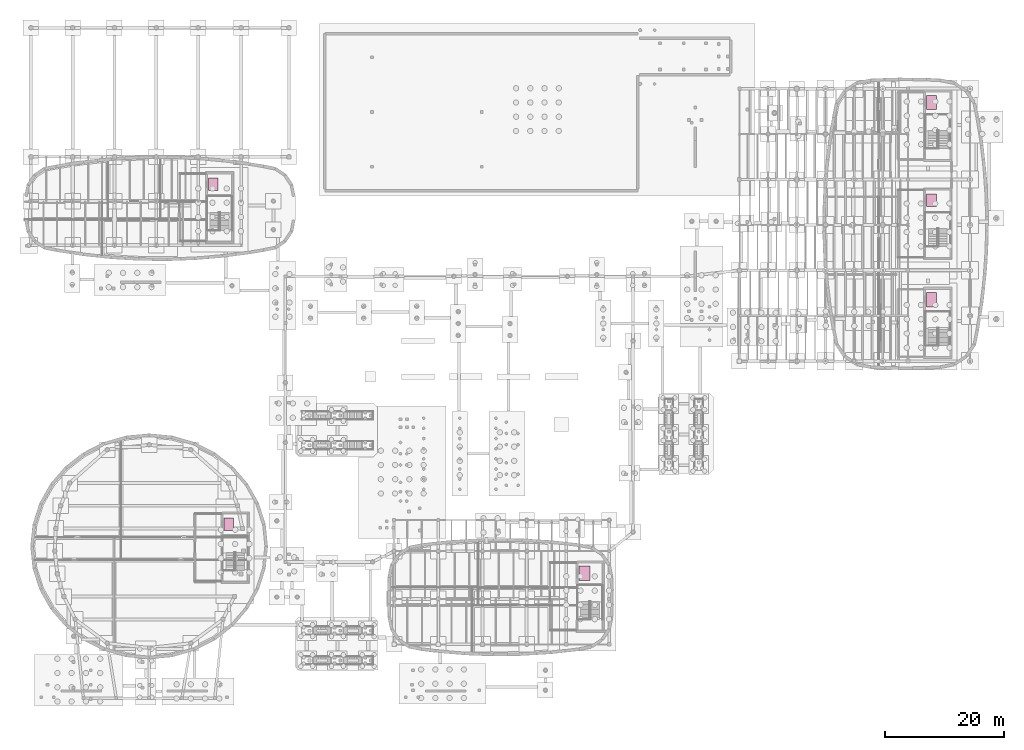
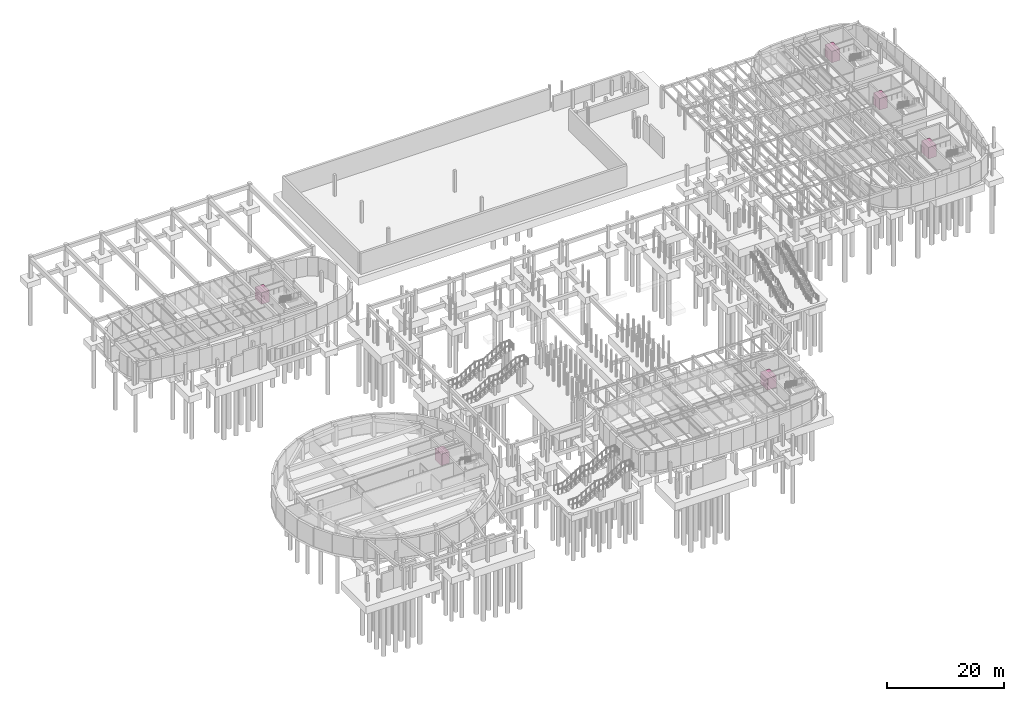
# One storey, part 45 of 45: 6 transport elements.
"""IFC4 building model written with IfcOpenShell, lengths in metres."""

import ifcopenshell
import ifcopenshell.guid

model = None  # the IFC model being written
_history = None  # IfcOwnerHistory: only IFC2X3 demands one
_inside = {}  # id of a spatial element -> (the spatial element, [elements in it])
_under = {}  # id of a project, library or spatial element -> (it, [spatial elements below it])
_declared = {}  # id of a project -> (the project, [libraries it declares])
_typed = {}  # id of a type object -> (the type object, [elements of that type])
_made_of = {}  # id of a material, layer set ... -> (it, [elements and type objects made of it])


def new_model(schema):
    """Start an empty IFC model of exactly this schema.

    Asked for "IFC4X3", IfcOpenShell would pick the latest addendum, in which some entities
    have other attributes; the version numbers below select the first issue.
    IFC2X3 requires an IfcOwnerHistory on every rooted entity: one is made here for all.
    """
    global model, _history
    if schema == "IFC4X3":
        model = ifcopenshell.file(schema_version=(4, 3, 0, 0))
    else:
        model = ifcopenshell.file(schema=schema)
    _inside.clear()
    _under.clear()
    _declared.clear()
    _typed.clear()
    _made_of.clear()
    _history = None
    if model.schema == "IFC2X3":
        org = make("IfcOrganization", Name="unknown")
        user = make(
            "IfcPersonAndOrganization",
            ThePerson=make("IfcPerson", FamilyName="unknown"),
            TheOrganization=org,
        )
        app = make(
            "IfcApplication",
            ApplicationDeveloper=org,
            Version="unknown",
            ApplicationFullName="unknown",
            ApplicationIdentifier="unknown",
        )
        _history = make(
            "IfcOwnerHistory",
            OwningUser=user,
            OwningApplication=app,
            ChangeAction="ADDED",
            CreationDate=0,
        )
    return model


def make(cls, **values):
    """One entity of the class cls with the attributes given. An attribute that is None is left unset."""
    return model.create_entity(
        cls, **{name: value for name, value in values.items() if value is not None}
    )


def rooted(cls, **values):
    """An entity with a GlobalId (a new one), such as an element, a storey or a relation."""
    return make(cls, GlobalId=ifcopenshell.guid.new(), OwnerHistory=_history, **values)


def si_unit(unit_type, name, prefix=None):
    """IfcSIUnit, for example si_unit("LENGTHUNIT", "METRE", prefix="MILLI")."""
    return make("IfcSIUnit", UnitType=unit_type, Prefix=prefix, Name=name)


def assignment(units):
    """IfcUnitAssignment: the units of a project."""
    return None if units is None else make("IfcUnitAssignment", Units=units)


def point(xyz):
    """IfcCartesianPoint."""
    return None if xyz is None else make("IfcCartesianPoint", Coordinates=xyz)


def direction(xyz):
    """IfcDirection."""
    return None if xyz is None else make("IfcDirection", DirectionRatios=xyz)


def frame(location, z_axis=None, x_axis=None):
    """IfcAxis2Placement3D, a coordinate frame: its origin and axes. An axis left out is left unset."""
    return make(
        "IfcAxis2Placement3D",
        Location=point(location),
        Axis=direction(z_axis),
        RefDirection=direction(x_axis),
    )


def frame_2d(location, x_axis=None):
    """IfcAxis2Placement2D, a coordinate frame in the plane: its origin and x axis."""
    return make(
        "IfcAxis2Placement2D", Location=point(location), RefDirection=direction(x_axis)
    )


def origin():
    """The frame at (0, 0, 0) with its axes left unset."""
    return frame((0.0, 0.0, 0.0))


def origin_2d():
    """The frame at (0, 0) in the plane with its x axis left unset."""
    return frame_2d((0.0, 0.0))


def place(relative_to, where):
    """IfcLocalPlacement: puts the frame where relative to a parent placement (None: the world)."""
    return make(
        "IfcLocalPlacement", PlacementRelTo=relative_to, RelativePlacement=where
    )


def context(
    kind, dimensions, precision=None, world=None, true_north=None, identifier=None
):
    """IfcGeometricRepresentationContext, for example the 3D "Model" context."""
    return make(
        "IfcGeometricRepresentationContext",
        ContextIdentifier=identifier,
        ContextType=kind,
        CoordinateSpaceDimension=dimensions,
        Precision=precision,
        WorldCoordinateSystem=world,
        TrueNorth=true_north,
    )


def subcontext(parent, identifier, kind, view, scale=None):
    """IfcGeometricRepresentationSubContext, for example "Body" below "Model"."""
    return make(
        "IfcGeometricRepresentationSubContext",
        ContextIdentifier=identifier,
        ContextType=kind,
        ParentContext=parent,
        TargetScale=scale,
        TargetView=view,
    )


def project(units=None, contexts=None):
    """IfcProject with its units and contexts."""
    return rooted(
        "IfcProject",
        Name="project",
        RepresentationContexts=contexts,
        UnitsInContext=assignment(units),
    )


def spatial(cls, under=None, at=None, **own):
    """A site, building, storey or space (cls), placed at a placement, below another one or the project."""
    s = rooted(cls, ObjectPlacement=at, **own)
    if under is not None:
        _under.setdefault(under.id(), (under, []))[1].append(s)
    return s


def profile(cls, at=None, kind="AREA", **sizes):
    """A parametric profile (cls). Its sizes go by their IFC names, for example OverallWidth=200.0."""
    return make(cls, ProfileType=kind, Position=at, **sizes)


def rectangle(**sizes):
    """IfcRectangleProfileDef."""
    return profile("IfcRectangleProfileDef", **sizes)


def extrude(swept, where, along, depth):
    """IfcExtrudedAreaSolid: the profile swept, set in the frame where, extruded along a direction by depth."""
    return make(
        "IfcExtrudedAreaSolid",
        SweptArea=swept,
        Position=where,
        ExtrudedDirection=direction(along),
        Depth=depth,
    )


def shape(context_of_items, identifier, shape_type, items):
    """IfcShapeRepresentation: the items that make up one representation, for example the "Body"."""
    return make(
        "IfcShapeRepresentation",
        ContextOfItems=context_of_items,
        RepresentationIdentifier=identifier,
        RepresentationType=shape_type,
        Items=items,
    )


def material(Name=None, Category=None):
    """IfcMaterial."""
    return make("IfcMaterial", Name=Name, Category=Category)


def made_of(thing, what):
    """Note that an element or type object is made of a material, layer set ...; save() writes the relation."""
    if what is not None:
        _made_of.setdefault(what.id(), (what, []))[1].append(thing)
    return thing


def type_object(cls, material=None, **own):
    """A type object (cls), such as IfcWallType, which elements share."""
    return made_of(rooted(cls, **own), material)


def element(
    cls,
    number,
    at=None,
    inside=None,
    cuts=None,
    type_object=None,
    material=None,
    context=None,
    identifier="Body",
    shape_type=None,
    held_by="IfcProductDefinitionShape",
    body=None,
    shapes=None,
    **own,
):
    """One element of the class cls, such as IfcWall. Its Tag is "e" and its number.

    at: its placement. inside: the storey or other place that contains it. cuts: it is an
    opening in that element (IfcRelVoidsElement). A single representation is given by context,
    identifier, shape_type and body (its items); several are given by shapes. held_by: the class
    of the entity that holds the representations. save() writes the other relations.
    """
    e = rooted(cls, Tag="e%d" % number, ObjectPlacement=at, **own)
    if body is not None:
        shapes = [shape(context, identifier, shape_type, body)]
    if shapes is not None:
        e.Representation = make(held_by, Representations=shapes)
    if inside is not None:
        _inside.setdefault(inside.id(), (inside, []))[1].append(e)
    if cuts is not None:
        rooted(
            "IfcRelVoidsElement", RelatingBuildingElement=cuts, RelatedOpeningElement=e
        )
    if type_object is not None:
        _typed.setdefault(type_object.id(), (type_object, []))[1].append(e)
    return made_of(e, material)


def aggregate(whole, parts):
    """IfcRelAggregates: a whole, such as a stair, and the parts it consists of."""
    return rooted("IfcRelAggregates", RelatingObject=whole, RelatedObjects=parts)


def save(model, path):
    """Write the relations noted so far, then the file.

    IfcRelAggregates (storeys below a building ...), IfcRelContainedInSpatialStructure (elements
    in a storey), IfcRelDefinesByType, IfcRelAssociatesMaterial and IfcRelDeclares: one each for
    every whole, place, type object, material and project.
    """
    for whole, parts in _under.values():
        aggregate(whole, parts)
    for where, things in _inside.values():
        rooted(
            "IfcRelContainedInSpatialStructure",
            RelatedElements=things,
            RelatingStructure=where,
        )
    for kind, things in _typed.values():
        rooted("IfcRelDefinesByType", RelatedObjects=things, RelatingType=kind)
    for what, things in _made_of.values():
        rooted("IfcRelAssociatesMaterial", RelatedObjects=things, RelatingMaterial=what)
    for by, libraries in _declared.values():
        rooted("IfcRelDeclares", RelatingContext=by, RelatedDefinitions=libraries)
    model.write(path)


model = new_model("IFC4")

# Units and contexts
model_context = context("Model", 3, precision=1e-05, world=origin(), true_north=direction((0.0, 1.0)))
body_context = subcontext(model_context, "Body", "Model", "MODEL_VIEW")
ifc_project = project(units=[si_unit("LENGTHUNIT", "METRE"), si_unit("AREAUNIT", "SQUARE_METRE"), si_unit("VOLUMEUNIT", "CUBIC_METRE"), si_unit("PLANEANGLEUNIT", "RADIAN"), si_unit("MASSUNIT", "GRAM", prefix="KILO")], contexts=[model_context])

# Site, building, storey
site_placement = place(None, origin())
site = spatial("IfcSite", under=ifc_project, at=site_placement, CompositionType="ELEMENT")
building_placement = place(site_placement, origin())
building = spatial("IfcBuilding", under=site, at=building_placement, Name="Corveleigh Park Community Centre", CompositionType="ELEMENT")
storey_placement = place(building_placement, frame((0.0, 0.0, -4.199951171875)))
storey = spatial("IfcBuildingStorey", under=building, at=storey_placement, Name="B1", CompositionType="ELEMENT", Elevation=-4.199951171875)

# Transport elements
ifc_material = material(Name="Brushed stainless steel lift car", Category="steel")
transport_element_type_1 = type_object("IfcTransportElementType", Name="LFT-FF-1600x2400", PredefinedType="ELEVATOR", material=ifc_material)
for number, where, z_axis, x_axis, name in (
    (1, (161.949951171875, 68.89990234375, 0.0), (0.0, 0.0, 1.0), (1.0, 0.0, 0.0), "Lift FL1"),
    (2, (161.949951171875, 101.89990234375, 0.0), (0.0, 0.0, 1.0), (1.0, 0.0, 0.0), "Lift FL2"),
):
    element("IfcTransportElement", number, at=place(storey_placement, frame(where, z_axis=z_axis, x_axis=x_axis)), inside=storey, type_object=transport_element_type_1, Name=name, PredefinedType="ELEVATOR", context=body_context, shape_type="SweptSolid", body=[
        extrude(rectangle(XDim=1.60009765625, YDim=2.39990234375, at=origin_2d()), origin(), (0.0, 0.0, 1.0), 2.39990234375),
    ])
transport_element_type_2 = type_object("IfcTransportElementType", Name="LFT-GDS-1800x2400", PredefinedType="ELEVATOR", material=ifc_material)
transport_element_placement = place(storey_placement, frame((103.85009765625, 23.10009765625, 0.0), z_axis=(0.0, 0.0, 1.0), x_axis=(1.0, 0.0, 0.0)))
element("IfcTransportElement", 3, at=transport_element_placement, inside=storey, type_object=transport_element_type_2, Name="Lift GL1", PredefinedType="ELEVATOR", context=body_context, shape_type="SweptSolid", body=[
    extrude(rectangle(XDim=1.800048828125, YDim=2.39990234375, at=origin_2d()), origin(), (0.0, 0.0, 1.0), 2.39990234375),
])
transport_element_type_3 = type_object("IfcTransportElementType", Name="LFT-PAX-1600x2100", PredefinedType="ELEVATOR", material=ifc_material)
for number, where, z_axis, x_axis, name in (
    (4, (41.75, 88.199951171875, 0.0), (0.0, 0.0, 1.0), (1.0, 0.0, 0.0), "Lift PL1"),
    (5, (44.35009765625, 31.300048828125, 0.0), (0.0, 0.0, 1.0), (1.0, 0.0, 0.0), "Lift PL3"),
    (6, (161.949951171875, 85.5, 0.0), (0.0, 0.0, 1.0), (1.0, 0.0, 0.0), "Lift PL2"),
):
    element("IfcTransportElement", number, at=place(storey_placement, frame(where, z_axis=z_axis, x_axis=x_axis)), inside=storey, type_object=transport_element_type_3, Name=name, PredefinedType="ELEVATOR", context=body_context, shape_type="SweptSolid", body=[
        extrude(rectangle(XDim=1.60009765625, YDim=2.10009765625, at=origin_2d()), origin(), (0.0, 0.0, 1.0), 2.39990234375),
    ])

save(model, "model.ifc")
